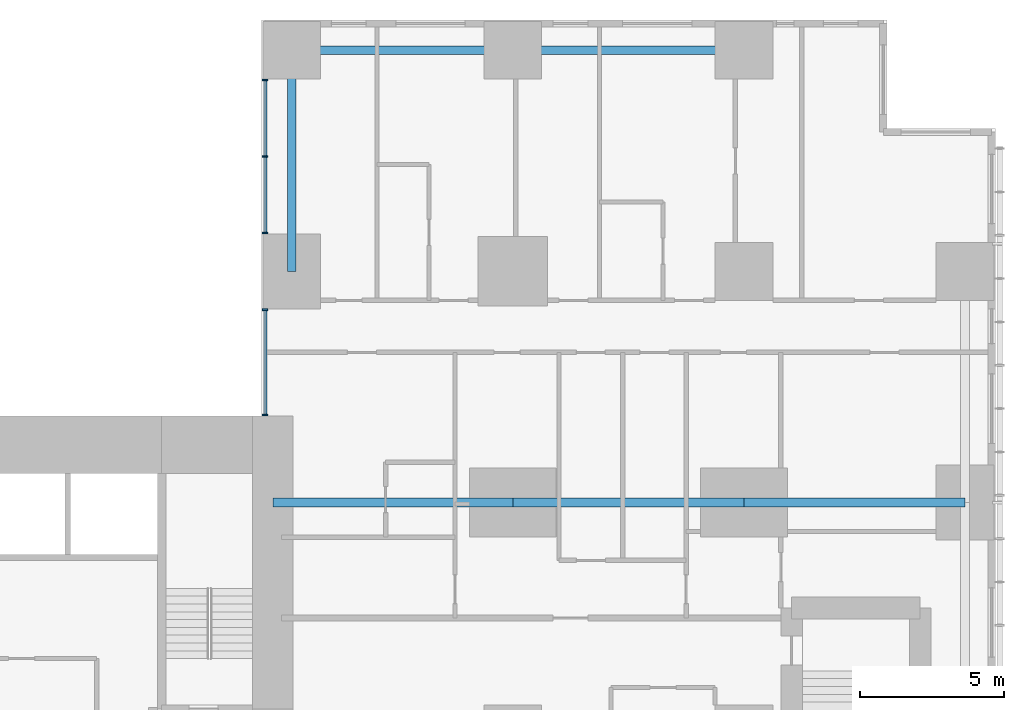
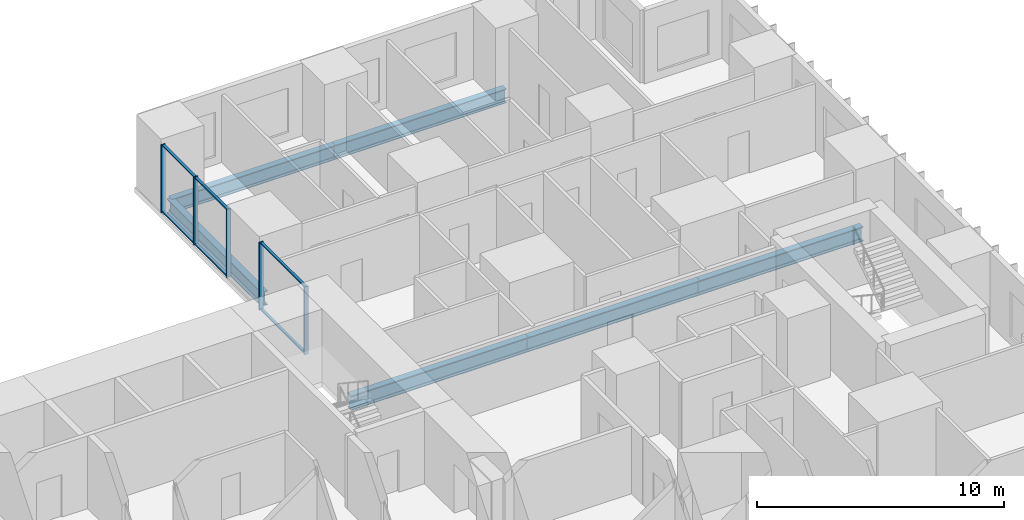
# One storey, part 5 of 20: 11 members, 6 beams, 2 elements without a shape of their own.
"""IFC4 building model written with IfcOpenShell, lengths in metres."""

from ifc_helpers import new_model, si_unit, direction, frame, origin, origin_2d, place, context, subcontext, project, spatial, rectangle, i_section, extrude, material, layer, layer_set, material_profile, profile_set, type_object, element, aggregate, save


model = new_model("IFC4")

# Units and contexts
model_context = context("Model", 3, precision=1e-05, world=origin(), true_north=direction((0.0, 1.0)))
body_context = subcontext(model_context, "Body", "Model", "MODEL_VIEW")
ifc_project = project(units=[si_unit("LENGTHUNIT", "METRE"), si_unit("AREAUNIT", "SQUARE_METRE"), si_unit("VOLUMEUNIT", "CUBIC_METRE"), si_unit("PLANEANGLEUNIT", "RADIAN"), si_unit("MASSUNIT", "GRAM", prefix="KILO")], contexts=[model_context])

# Site, building, storey
site_placement = place(None, origin())
site = spatial("IfcSite", under=ifc_project, at=site_placement, CompositionType="ELEMENT")
building_placement = place(site_placement, origin())
building = spatial("IfcBuilding", under=site, at=building_placement, Name="Cleftline Residences", CompositionType="ELEMENT")
storey_placement = place(building_placement, frame((0.0, 0.0, 146.60009765625)))
storey = spatial("IfcBuildingStorey", under=building, at=storey_placement, Name="L38", CompositionType="ELEMENT", Elevation=146.60009765625)

# Beams
ifc_material_1 = material(Name="Steel S355", Category="steel")
ifc_material_profile_1 = material_profile(ifc_material_1, i_section(OverallWidth=0.300048828125, OverallDepth=0.699951171875, WebThickness=0.01708984375, FlangeThickness=0.031982421875, FilletRadius=0.027099609375, at=origin_2d()))
ifc_profile_set_1 = profile_set([ifc_material_profile_1], Name="Steel S355")
beam_type_1 = type_object("IfcBeamType", Name="BEAM HEB 700", PredefinedType="BEAM", material=ifc_profile_set_1)
beam_1_placement = place(storey_placement, frame((58.0, 47.64990234375, -0.60009765625), z_axis=(-1.0, 0.0, 0.0), x_axis=(0.0, -1.0, 0.0)))
element("IfcBeam", 1, at=beam_1_placement, inside=storey, type_object=beam_type_1, Name="Edge beam", PredefinedType="BEAM", context=body_context, shape_type="SweptSolid", body=[
    extrude(i_section(OverallWidth=0.300048828125, OverallDepth=0.699951171875, WebThickness=0.01708984375, FlangeThickness=0.031982421875, FilletRadius=0.027099609375, at=origin_2d()), origin(), (0.0, 0.0, 1.0), 8.0),
])
for number, where, z_axis, x_axis, name in (
    (2, (50.0, 47.64990234375, -0.60009765625), (-1.0, 0.0, 0.0), (0.0, -1.0, 0.0), "Edge beam"),
    (3, (42.35009765625, 47.64990234375, -0.60009765625), (0.0, -1.0, 0.0), (1.0, 0.0, 0.0), "Edge beam"),
):
    element("IfcBeam", number, at=place(storey_placement, frame(where, z_axis=z_axis, x_axis=x_axis)), inside=storey, type_object=beam_type_1, Name=name, PredefinedType="BEAM", context=body_context, shape_type="SweptSolid", body=[
        extrude(i_section(OverallWidth=0.300048828125, OverallDepth=0.699951171875, WebThickness=0.01708984375, FlangeThickness=0.031982421875, FilletRadius=0.027099609375, at=origin_2d()), origin(), (0.0, 0.0, 1.0), 7.64990234375),
    ])
ifc_material_2 = material(Name="Steel S355", Category="steel")
ifc_material_profile_2 = material_profile(ifc_material_2, i_section(OverallWidth=0.303955078125, OverallDepth=0.716064453125, WebThickness=0.02099609375, FlangeThickness=0.0400390625, FilletRadius=0.027099609375, at=origin_2d()))
ifc_profile_set_2 = profile_set([ifc_material_profile_2], Name="Steel S355")
beam_type_2 = type_object("IfcBeamType", Name="BEAM HEM 700", PredefinedType="BEAM", material=ifc_profile_set_2)
beam_2_placement = place(storey_placement, frame((65.64990234375, 32.0, -0.608154296875), z_axis=(-1.0, 0.0, 0.0), x_axis=(0.0, -1.0, 0.0)))
element("IfcBeam", 4, at=beam_2_placement, inside=storey, type_object=beam_type_2, Name="Band beam", PredefinedType="BEAM", context=body_context, shape_type="SweptSolid", body=[
    extrude(i_section(OverallWidth=0.303955078125, OverallDepth=0.716064453125, WebThickness=0.02099609375, FlangeThickness=0.0400390625, FilletRadius=0.027099609375, at=origin_2d()), origin(), (0.0, 0.0, 1.0), 7.64990234375),
])
beam_3_placement = place(storey_placement, frame((58.0, 32.0, -0.608154296875), z_axis=(-1.0, 0.0, 0.0), x_axis=(0.0, -1.0, 0.0)))
element("IfcBeam", 5, at=beam_3_placement, inside=storey, type_object=beam_type_2, Name="Band beam", PredefinedType="BEAM", context=body_context, shape_type="SweptSolid", body=[
    extrude(i_section(OverallWidth=0.303955078125, OverallDepth=0.716064453125, WebThickness=0.02099609375, FlangeThickness=0.0400390625, FilletRadius=0.027099609375, at=origin_2d()), origin(), (0.0, 0.0, 1.0), 8.0),
])
beam_4_placement = place(storey_placement, frame((50.0, 32.0, -0.608154296875), z_axis=(-1.0, 0.0, 0.0), x_axis=(0.0, -1.0, 0.0)))
element("IfcBeam", 6, at=beam_4_placement, inside=storey, type_object=beam_type_2, Name="Band beam", PredefinedType="BEAM", context=body_context, shape_type="SweptSolid", body=[
    extrude(i_section(OverallWidth=0.303955078125, OverallDepth=0.716064453125, WebThickness=0.02099609375, FlangeThickness=0.0400390625, FilletRadius=0.027099609375, at=origin_2d()), origin(), (0.0, 0.0, 1.0), 8.300048828125),
])

# Curtain wall, members
ifc_material_3 = material(Name="Aluminium framed curtain wall", Category="aluminium")
ifc_layer = layer(ifc_material_3, 0.199951171875)
ifc_layer_set = layer_set([ifc_layer], Name="CW1 CLEFT GLAZING")
curtain_wall_type = type_object("IfcCurtainWallType", Name="CW1 CLEFT GLAZING", PredefinedType="NOTDEFINED", material=ifc_layer_set)
curtain_wall_1_placement = place(storey_placement, origin())
curtain_wall_1 = element("IfcCurtainWall", 7, at=curtain_wall_1_placement, inside=storey, type_object=curtain_wall_type, Name="Curtain wall CW1", PredefinedType="NOTDEFINED")
ifc_material_4 = material(Name="Aluminium mullion", Category="aluminium")
ifc_material_profile_3 = material_profile(ifc_material_4, rectangle(XDim=0.199951171875, YDim=0.06005859375, at=origin_2d()))
ifc_profile_set_3 = profile_set([ifc_material_profile_3], Name="Aluminium mullion")
member_type_1 = type_object("IfcMemberType", Name="CW1 MULLION", PredefinedType="MULLION", material=ifc_profile_set_3)
member_1_placement = place(storey_placement, frame((41.425048828125, 46.6201171875, 0.0), z_axis=(0.0, 0.0, 1.0), x_axis=(1.0, 0.0, 0.0)))
member_1 = element("IfcMember", 8, at=member_1_placement, type_object=member_type_1, Name="CW1 mullion 1", PredefinedType="MULLION", context=body_context, shape_type="SweptSolid", body=[
    extrude(rectangle(XDim=0.199951171875, YDim=0.06005859375, at=origin_2d()), origin(), (0.0, 0.0, 1.0), 3.349853515625),
])
member_2_placement = place(storey_placement, frame((41.425048828125, 43.97509765625, 0.0), z_axis=(0.0, 0.0, 1.0), x_axis=(1.0, 0.0, 0.0)))
member_2 = element("IfcMember", 9, at=member_2_placement, type_object=member_type_1, Name="CW1 mullion 2", PredefinedType="MULLION", context=body_context, shape_type="SweptSolid", body=[
    extrude(rectangle(XDim=0.199951171875, YDim=0.06005859375, at=origin_2d()), origin(), (0.0, 0.0, 1.0), 3.349853515625),
])
member_3_placement = place(storey_placement, frame((41.425048828125, 41.330078125, 0.0), z_axis=(0.0, 0.0, 1.0), x_axis=(1.0, 0.0, 0.0)))
member_3 = element("IfcMember", 10, at=member_3_placement, type_object=member_type_1, Name="CW1 mullion 3", PredefinedType="MULLION", context=body_context, shape_type="SweptSolid", body=[
    extrude(rectangle(XDim=0.199951171875, YDim=0.06005859375, at=origin_2d()), origin(), (0.0, 0.0, 1.0), 3.349853515625),
])

curtain_wall_2_placement = place(storey_placement, origin())
curtain_wall_2 = element("IfcCurtainWall", 11, at=curtain_wall_2_placement, inside=storey, type_object=curtain_wall_type, Name="Curtain wall CW1", PredefinedType="NOTDEFINED")
member_4_placement = place(storey_placement, frame((41.425048828125, 38.669921875, 0.0), z_axis=(0.0, 0.0, 1.0), x_axis=(1.0, 0.0, 0.0)))
member_4 = element("IfcMember", 12, at=member_4_placement, type_object=member_type_1, Name="CW1 mullion 1", PredefinedType="MULLION", context=body_context, shape_type="SweptSolid", body=[
    extrude(rectangle(XDim=0.199951171875, YDim=0.06005859375, at=origin_2d()), origin(), (0.0, 0.0, 1.0), 3.349853515625),
])
member_5_placement = place(storey_placement, frame((41.425048828125, 35.030029296875, 0.0), z_axis=(0.0, 0.0, 1.0), x_axis=(1.0, 0.0, 0.0)))
member_5 = element("IfcMember", 13, at=member_5_placement, type_object=member_type_1, Name="CW1 mullion 2", PredefinedType="MULLION", context=body_context, shape_type="SweptSolid", body=[
    extrude(rectangle(XDim=0.199951171875, YDim=0.06005859375, at=origin_2d()), origin(), (0.0, 0.0, 1.0), 3.349853515625),
])

# Member
ifc_material_5 = material(Name="Aluminium transom", Category="aluminium")
ifc_material_profile_4 = material_profile(ifc_material_5, rectangle(XDim=0.1201171875, YDim=0.06005859375, at=origin_2d()))
ifc_profile_set_4 = profile_set([ifc_material_profile_4], Name="Aluminium transom")
member_type_2 = type_object("IfcMemberType", Name="CW1 TRANSOM", PredefinedType="USERDEFINED", material=ifc_profile_set_4)
member_6_placement = place(storey_placement, frame((41.425048828125, 46.590087890625, 0.02978515625), z_axis=(0.0, -1.0, 0.0), x_axis=(1.0, 0.0, 0.0)))
member_6 = element("IfcMember", 14, at=member_6_placement, type_object=member_type_2, Name="CW1 transom 1.1", ObjectType="TRANSOM", PredefinedType="USERDEFINED", context=body_context, shape_type="SweptSolid", body=[
    extrude(rectangle(XDim=0.1201171875, YDim=0.06005859375, at=origin_2d()), origin(), (0.0, 0.0, 1.0), 2.585205078125),
])

member_7_placement = place(storey_placement, frame((41.425048828125, 46.590087890625, 3.31982421875), z_axis=(0.0, -1.0, 0.0), x_axis=(1.0, 0.0, 0.0)))
member_7 = element("IfcMember", 15, at=member_7_placement, type_object=member_type_2, Name="CW1 transom 1.2", ObjectType="TRANSOM", PredefinedType="USERDEFINED", context=body_context, shape_type="SweptSolid", body=[
    extrude(rectangle(XDim=0.1201171875, YDim=0.06005859375, at=origin_2d()), origin(), (0.0, 0.0, 1.0), 2.585205078125),
])

member_8_placement = place(storey_placement, frame((41.425048828125, 43.945068359375, 0.02978515625), z_axis=(0.0, -1.0, 0.0), x_axis=(1.0, 0.0, 0.0)))
member_8 = element("IfcMember", 16, at=member_8_placement, type_object=member_type_2, Name="CW1 transom 2.1", ObjectType="TRANSOM", PredefinedType="USERDEFINED", context=body_context, shape_type="SweptSolid", body=[
    extrude(rectangle(XDim=0.1201171875, YDim=0.06005859375, at=origin_2d()), origin(), (0.0, 0.0, 1.0), 2.5849609375),
])

member_9_placement = place(storey_placement, frame((41.425048828125, 43.945068359375, 3.31982421875), z_axis=(0.0, -1.0, 0.0), x_axis=(1.0, 0.0, 0.0)))
member_9 = element("IfcMember", 17, at=member_9_placement, type_object=member_type_2, Name="CW1 transom 2.2", ObjectType="TRANSOM", PredefinedType="USERDEFINED", context=body_context, shape_type="SweptSolid", body=[
    extrude(rectangle(XDim=0.1201171875, YDim=0.06005859375, at=origin_2d()), origin(), (0.0, 0.0, 1.0), 2.5849609375),
])

aggregate(curtain_wall_1, [member_1, member_2, member_3, member_6, member_7, member_8, member_9])

member_10_placement = place(storey_placement, frame((41.425048828125, 38.639892578125, 0.02978515625), z_axis=(0.0, -1.0, 0.0), x_axis=(1.0, 0.0, 0.0)))
member_10 = element("IfcMember", 18, at=member_10_placement, type_object=member_type_2, Name="CW1 transom 1.1", ObjectType="TRANSOM", PredefinedType="USERDEFINED", context=body_context, shape_type="SweptSolid", body=[
    extrude(rectangle(XDim=0.1201171875, YDim=0.06005859375, at=origin_2d()), origin(), (0.0, 0.0, 1.0), 3.579833984375),
])

member_11_placement = place(storey_placement, frame((41.425048828125, 38.639892578125, 3.31982421875), z_axis=(0.0, -1.0, 0.0), x_axis=(1.0, 0.0, 0.0)))
member_11 = element("IfcMember", 19, at=member_11_placement, type_object=member_type_2, Name="CW1 transom 1.2", ObjectType="TRANSOM", PredefinedType="USERDEFINED", context=body_context, shape_type="SweptSolid", body=[
    extrude(rectangle(XDim=0.1201171875, YDim=0.06005859375, at=origin_2d()), origin(), (0.0, 0.0, 1.0), 3.579833984375),
])

aggregate(curtain_wall_2, [member_4, member_5, member_10, member_11])

save(model, "model.ifc")
